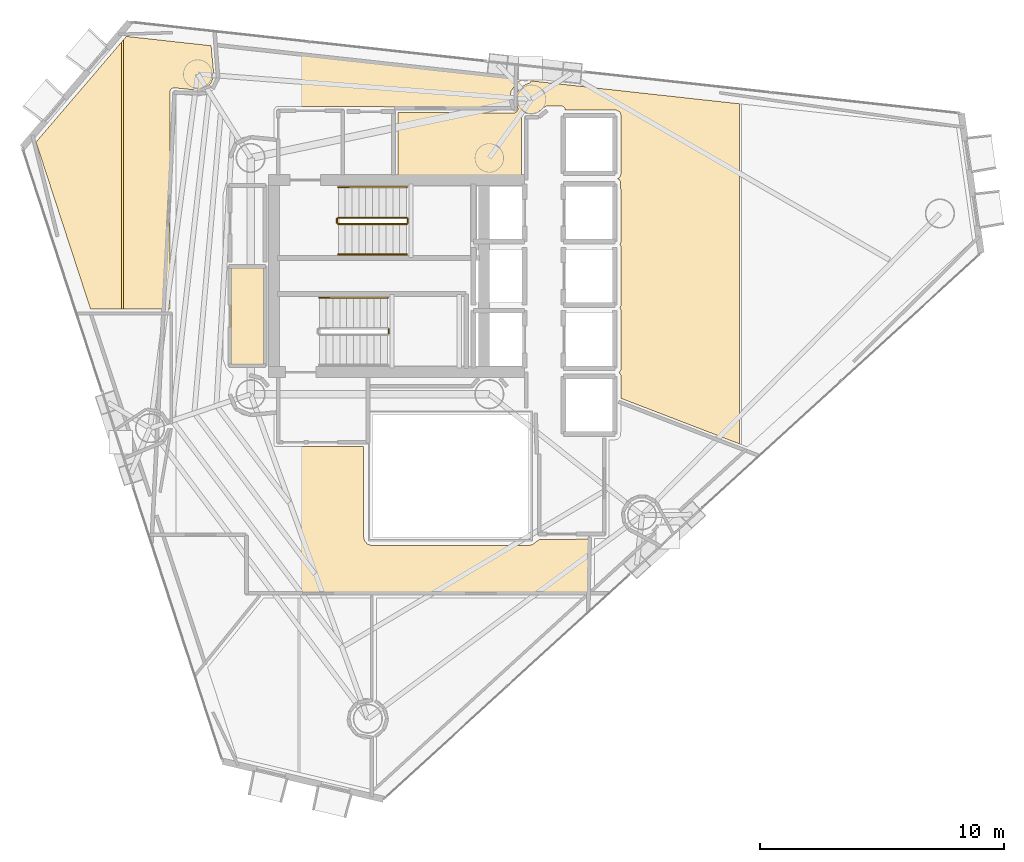
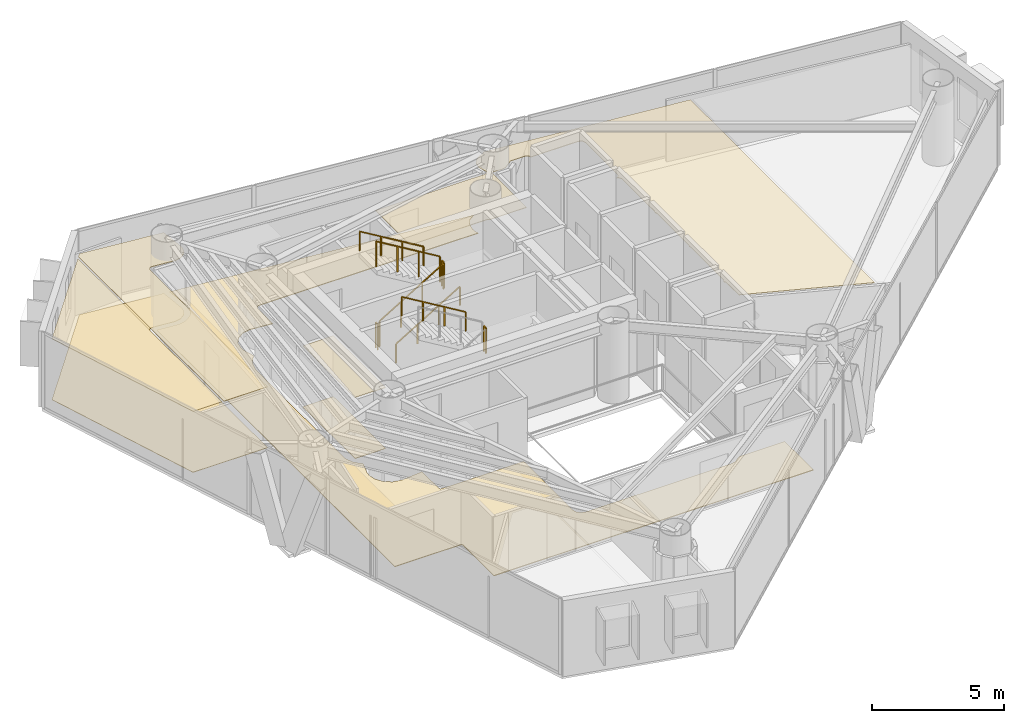
# One storey, part 23 of 24: 8 railings, 7 coverings.
"""IFC4 building model written with IfcOpenShell, lengths in metres."""

from ifc_helpers import new_model, si_unit, direction, frame, origin, origin_2d, place, context, subcontext, project, spatial, polyline, rectangle, outline, extrude, material, layer, layer_set, type_object, element, save


model = new_model("IFC4")

# Units and contexts
model_context = context("Model", 3, precision=1e-05, world=origin(), true_north=direction((0.0, 1.0)))
body_context = subcontext(model_context, "Body", "Model", "MODEL_VIEW")
ifc_project = project(units=[si_unit("LENGTHUNIT", "METRE"), si_unit("AREAUNIT", "SQUARE_METRE"), si_unit("VOLUMEUNIT", "CUBIC_METRE"), si_unit("PLANEANGLEUNIT", "RADIAN"), si_unit("MASSUNIT", "GRAM", prefix="KILO")], contexts=[model_context])

# Site, building, storey
site_placement = place(None, origin())
site = spatial("IfcSite", under=ifc_project, at=site_placement, CompositionType="ELEMENT")
building_placement = place(site_placement, origin())
building = spatial("IfcBuilding", under=site, at=building_placement, Name="Qianvela Tower", CompositionType="ELEMENT")
storey_placement = place(building_placement, frame((0.0, 0.0, 222.5)))
storey = spatial("IfcBuildingStorey", under=building, at=storey_placement, Name="L57", CompositionType="ELEMENT", Elevation=222.5)

# Coverings
ifc_material_1 = material(Name="Perforated Mineral Acoustic Ceiling Tile")
ifc_layer_1 = layer(ifc_material_1, 0.02490234375)
ifc_layer_set_1 = layer_set([ifc_layer_1], Name="Perforated Mineral Acoustic Ceiling Tile")
covering_type_1 = type_object("IfcCoveringType", Name="COV-CEIL-ACOUSTIC-25", PredefinedType="CEILING", material=ifc_layer_set_1)
covering_1_placement = place(storey_placement, frame((0.0, 0.0, 2.81494140625)))
element("IfcCovering", 1, at=covering_1_placement, inside=storey, type_object=covering_type_1, Name="L57 Acoustic Ceiling L57 Core Tea Pantry West", PredefinedType="CEILING", context=body_context, shape_type="SweptSolid", body=[
    extrude(outline(polyline([(27.800048828125, 25.080078125), (27.800048828125, 29.0400390625), (29.139892578125, 29.0400390625), (29.139892578125, 25.080078125), (27.800048828125, 25.080078125)])), origin(), (0.0, 0.0, 1.0), 0.025146484375),
])
covering_2_placement = place(storey_placement, frame((0.0, 0.0, 2.81494140625)))
element("IfcCovering", 2, at=covering_2_placement, inside=storey, type_object=covering_type_1, Name="L57 Acoustic Ceiling Bay 1 Stationery Supply Boutique L57-05", PredefinedType="CEILING", context=body_context, shape_type="SweptSolid", body=[
    extrude(outline(polyline([(43.722412109375, 32.739013671875), (43.729248046875, 32.74267578125), (43.73583984375, 32.746826171875), (43.741943359375, 32.751953125), (43.74755859375, 32.757568359375), (43.75244140625, 32.763427734375), (43.7568359375, 32.77001953125), (43.760498046875, 32.777099609375), (43.763427734375, 32.7841796875), (43.79541015625, 32.873046875), (43.7978515625, 32.8818359375), (43.799560546875, 32.890869140625), (43.800048828125, 32.89990234375), (43.800048828125, 35.300048828125), (43.799560546875, 35.30908203125), (43.7978515625, 35.318115234375), (43.79541015625, 35.326904296875), (43.763427734375, 35.415771484375), (43.760498046875, 35.423095703125), (43.7568359375, 35.429931640625), (43.75244140625, 35.4365234375), (43.74755859375, 35.4423828125), (43.741943359375, 35.447998046875), (43.73583984375, 35.453125), (43.729248046875, 35.45751953125), (43.722412109375, 35.461181640625), (43.6142578125, 35.51220703125), (43.607666015625, 35.51513671875), (43.60107421875, 35.51708984375), (43.593994140625, 35.518798828125), (43.587158203125, 35.519775390625), (43.580078125, 35.52001953125), (41.515625, 35.52001953125), (41.513916015625, 35.554931640625), (41.512939453125, 35.563232421875), (41.51123046875, 35.5712890625), (41.508544921875, 35.5791015625), (41.50537109375, 35.5869140625), (41.501220703125, 35.593994140625), (41.496337890625, 35.6005859375), (41.49072265625, 35.60693359375), (41.484619140625, 35.612548828125), (41.426513671875, 35.660400390625), (41.420166015625, 35.6650390625), (41.413330078125, 35.6689453125), (41.40625, 35.67236328125), (41.39892578125, 35.675048828125), (41.391357421875, 35.677001953125), (41.383544921875, 35.677978515625), (41.375732421875, 35.678466796875), (40.750244140625, 35.679931640625), (40.742919921875, 35.6796875), (40.7353515625, 35.6787109375), (40.728271484375, 35.677001953125), (40.72119140625, 35.674560546875), (40.71435546875, 35.671630859375), (40.7080078125, 35.668212890625), (40.701904296875, 35.663818359375), (40.361083984375, 35.406982421875), (40.127197265625, 35.3603515625), (39.85107421875, 35.393310546875), (39.843505859375, 35.393798828125), (39.835693359375, 35.393798828125), (39.828125, 35.392822265625), (39.820556640625, 35.39111328125), (39.813232421875, 35.388916015625), (39.80615234375, 35.3857421875), (39.799560546875, 35.382080078125), (39.793212890625, 35.377685546875), (39.787109375, 35.37255859375), (39.781982421875, 35.3671875), (39.777099609375, 35.361083984375), (39.772705078125, 35.354736328125), (39.731201171875, 35.28466796875), (39.727294921875, 35.277099609375), (39.72412109375, 35.26904296875), (39.7216796875, 35.2607421875), (39.720458984375, 35.252197265625), (39.719970703125, 35.243896484375), (39.719970703125, 32.719970703125), (38.125, 32.719970703125), (38.03369140625, 32.762451171875), (38.025634765625, 32.765625), (38.017333984375, 32.76806640625), (38.0087890625, 32.76953125), (38.0, 32.77001953125), (34.659912109375, 32.77001953125), (34.6591796875, 35.41064453125), (39.43359375, 35.401611328125), (39.44140625, 35.40185546875), (39.448974609375, 35.40283203125), (39.45654296875, 35.40478515625), (39.4638671875, 35.407470703125), (39.470703125, 35.41064453125), (39.4775390625, 35.41455078125), (39.48388671875, 35.419189453125), (39.489501953125, 35.42431640625), (39.494873046875, 35.429931640625), (39.5595703125, 35.5068359375), (39.564208984375, 35.512939453125), (39.568115234375, 35.519287109375), (39.571533203125, 35.526123046875), (39.574462890625, 35.533203125), (39.576416015625, 35.54052734375), (39.57763671875, 35.548095703125), (39.578369140625, 35.5556640625), (39.578369140625, 35.563232421875), (39.577392578125, 35.57080078125), (39.575927734375, 35.578125), (39.57373046875, 35.58544921875), (39.48388671875, 35.83447265625), (39.47265625, 35.9501953125), (39.524169921875, 36.20947265625), (39.66650390625, 36.422607421875), (39.886962890625, 36.56982421875), (40.042236328125, 36.6201171875), (40.0498046875, 36.623046875), (40.05712890625, 36.626708984375), (40.06396484375, 36.631103515625), (40.0703125, 36.63623046875), (40.076171875, 36.641845703125), (40.081298828125, 36.648193359375), (40.0859375, 36.65478515625), (40.08984375, 36.662109375), (40.093017578125, 36.66943359375), (40.10888671875, 36.71435546875), (48.662841796875, 35.77392578125), (48.662841796875, 21.815185546875), (43.7998046875, 23.684326171875), (43.79931640625, 24.61376953125), (43.798828125, 24.62158203125), (43.7978515625, 24.62939453125), (43.7958984375, 24.636962890625), (43.793212890625, 24.644287109375), (43.789794921875, 24.6513671875), (43.785888671875, 24.658203125), (43.73046875, 24.740966796875), (43.732666015625, 24.74365234375), (43.7373046875, 24.750732421875), (43.785888671875, 24.83154296875), (43.7900390625, 24.839111328125), (43.793212890625, 24.84716796875), (43.79541015625, 24.85546875), (43.796875, 24.864013671875), (43.79736328125, 24.87255859375), (43.800048828125, 27.2998046875), (43.799560546875, 27.307861328125), (43.79833984375, 27.31591796875), (43.79638671875, 27.323486328125), (43.793701171875, 27.3310546875), (43.7646484375, 27.39990234375), (43.793701171875, 27.468994140625), (43.79638671875, 27.476318359375), (43.79833984375, 27.484130859375), (43.799560546875, 27.491943359375), (43.800048828125, 27.5), (43.800048828125, 29.89990234375), (43.799560546875, 29.907958984375), (43.79833984375, 29.915771484375), (43.79638671875, 29.923583984375), (43.793701171875, 29.93115234375), (43.7646484375, 30.0), (43.793701171875, 30.06884765625), (43.79638671875, 30.076416015625), (43.79833984375, 30.084228515625), (43.799560546875, 30.09228515625), (43.800048828125, 30.10009765625), (43.7939453125, 32.540771484375), (43.793701171875, 32.548583984375), (43.79248046875, 32.556396484375), (43.79052734375, 32.56396484375), (43.787841796875, 32.5712890625), (43.784423828125, 32.578369140625), (43.780517578125, 32.585205078125), (43.7353515625, 32.652587890625), (43.73095703125, 32.658447265625), (43.726318359375, 32.6640625), (43.720947265625, 32.6689453125), (43.715087890625, 32.673583984375), (43.708984375, 32.677490234375), (43.702392578125, 32.680908203125), (43.69580078125, 32.68359375), (43.644287109375, 32.701904296875), (43.722412109375, 32.739013671875)])), origin(), (0.0, 0.0, 1.0), 0.025146484375),
])
covering_3_placement = place(storey_placement, frame((0.0, 0.0, 2.81494140625)))
element("IfcCovering", 3, at=covering_3_placement, inside=storey, type_object=covering_type_1, Name="L57 Acoustic Ceiling Bay 1 Print Copy Kiosk L57-06", PredefinedType="CEILING", context=body_context, shape_type="SweptSolid", body=[
    extrude(outline(polyline([(22.02490234375, 27.35888671875), (19.79150390625, 34.2001953125), (23.29345703125, 38.295654296875), (23.29345703125, 27.35888671875), (22.02490234375, 27.35888671875)])), origin(), (0.0, 0.0, 1.0), 0.025146484375),
])
covering_4_placement = place(storey_placement, frame((0.0, 0.0, 2.81494140625)))
element("IfcCovering", 4, at=covering_4_placement, inside=storey, type_object=covering_type_1, Name="L57 Acoustic Ceiling Bay 2 Print Copy Kiosk L57-06", PredefinedType="CEILING", context=body_context, shape_type="SweptSolid", body=[
    extrude(outline(polyline([(27.090087890625, 36.9921875), (27.078369140625, 36.871337890625), (26.97412109375, 36.61962890625), (26.902099609375, 36.531982421875), (26.682373046875, 36.385009765625), (26.423095703125, 36.33349609375), (25.457763671875, 36.42822265625), (25.448974609375, 36.4287109375), (25.440185546875, 36.427978515625), (25.431396484375, 36.426513671875), (25.423095703125, 36.423828125), (25.372314453125, 36.40576171875), (25.365478515625, 36.403076171875), (25.35888671875, 36.399658203125), (25.352783203125, 36.3955078125), (25.346923828125, 36.39111328125), (25.341552734375, 36.385986328125), (25.3369140625, 36.38037109375), (25.33251953125, 36.37451171875), (25.32861328125, 36.3681640625), (25.2998046875, 36.314208984375), (25.29638671875, 36.30712890625), (25.293701171875, 36.2998046875), (25.2919921875, 36.2919921875), (25.290771484375, 36.2841796875), (25.290283203125, 36.276611328125), (25.290283203125, 27.35888671875), (23.373291015625, 27.35888671875), (23.373291015625, 38.38916015625), (23.502197265625, 38.539794921875), (26.97705078125, 38.15771484375), (27.090087890625, 36.9921875)])), origin(), (0.0, 0.0, 1.0), 0.025146484375),
])
ifc_material_2 = material(Name="Engineered Acoustic Oak Timber Flooring", Category="wood")
ifc_layer_2 = layer(ifc_material_2, 0.02001953125)
ifc_layer_set_2 = layer_set([ifc_layer_2], Name="Engineered Acoustic Oak Timber Flooring")
covering_type_2 = type_object("IfcCoveringType", Name="COV-FLOOR-OAK-20", PredefinedType="FLOORING", material=ifc_layer_set_2)
covering_5_placement = place(storey_placement, origin())
element("IfcCovering", 5, at=covering_5_placement, inside=storey, type_object=covering_type_2, Name="L57 Finish Flooring L57 Core Tea Pantry West", PredefinedType="FLOORING", context=body_context, shape_type="SweptSolid", body=[
    extrude(outline(polyline([(27.800048828125, 25.080078125), (27.800048828125, 29.0400390625), (29.139892578125, 29.0400390625), (29.139892578125, 25.080078125), (27.800048828125, 25.080078125)])), origin(), (0.0, 0.0, 1.0), 0.02001953125),
])
covering_6_placement = place(storey_placement, origin())
element("IfcCovering", 6, at=covering_6_placement, inside=storey, type_object=covering_type_2, Name="L57 Finish Flooring Print Copy Kiosk L57-06", PredefinedType="FLOORING", context=body_context, shape_type="SweptSolid", body=[
    extrude(outline(polyline([(26.97705078125, 38.15771484375), (27.090087890625, 36.9921875), (27.078369140625, 36.871337890625), (26.97412109375, 36.61962890625), (26.902099609375, 36.531982421875), (26.682373046875, 36.385009765625), (26.423095703125, 36.33349609375), (25.457763671875, 36.42822265625), (25.448974609375, 36.4287109375), (25.440185546875, 36.427978515625), (25.431396484375, 36.426513671875), (25.423095703125, 36.423828125), (25.372314453125, 36.40576171875), (25.365478515625, 36.403076171875), (25.35888671875, 36.399658203125), (25.352783203125, 36.3955078125), (25.346923828125, 36.39111328125), (25.341552734375, 36.385986328125), (25.3369140625, 36.38037109375), (25.33251953125, 36.37451171875), (25.32861328125, 36.3681640625), (25.2998046875, 36.314208984375), (25.29638671875, 36.30712890625), (25.293701171875, 36.2998046875), (25.2919921875, 36.2919921875), (25.290771484375, 36.2841796875), (25.290283203125, 36.276611328125), (25.290283203125, 27.35888671875), (22.02490234375, 27.35888671875), (19.79150390625, 34.2001953125), (23.502197265625, 38.539794921875), (26.97705078125, 38.15771484375)])), origin(), (0.0, 0.0, 1.0), 0.02001953125),
])
ifc_material_3 = material(Name="Honed Stone Terrazzo Flooring", Category="masonry")
ifc_layer_3 = layer(ifc_material_3, 0.030029296875)
ifc_layer_set_3 = layer_set([ifc_layer_3], Name="Honed Stone Terrazzo Flooring")
covering_type_3 = type_object("IfcCoveringType", Name="COV-FLOOR-TERRAZZO-30", PredefinedType="FLOORING", material=ifc_layer_set_3)
covering_7_placement = place(storey_placement, origin())
element("IfcCovering", 7, at=covering_7_placement, inside=storey, type_object=covering_type_3, Name="L57 Finish Flooring L57 Floor Corridor", PredefinedType="FLOORING", context=body_context, shape_type="SweptSolid", body=[
    extrude(outline(polyline([(27.30908203125, 36.801513671875), (27.311767578125, 36.808837890625), (27.313720703125, 36.81640625), (27.31494140625, 36.82421875), (27.33056640625, 36.984130859375), (27.3310546875, 36.991943359375), (27.33056640625, 36.999755859375), (27.21923828125, 38.131103515625), (39.733154296875, 36.755615234375), (39.506591796875, 36.604248046875), (39.50048828125, 36.599609375), (39.49462890625, 36.594482421875), (39.4892578125, 36.588623046875), (39.484619140625, 36.582275390625), (39.306884765625, 36.316162109375), (39.302978515625, 36.3095703125), (39.299560546875, 36.302490234375), (39.296875, 36.294921875), (39.294921875, 36.287353515625), (39.232421875, 35.9736328125), (39.2314453125, 35.9658203125), (39.23095703125, 35.9580078125), (39.2314453125, 35.9501953125), (39.2470703125, 35.790283203125), (39.248291015625, 35.783203125), (39.249755859375, 35.776123046875), (39.252197265625, 35.769287109375), (39.3017578125, 35.640380859375), (29.694091796875, 35.66162109375), (29.686767578125, 35.661376953125), (29.67919921875, 35.660400390625), (29.672119140625, 35.65869140625), (29.6650390625, 35.65625), (29.658203125, 35.6533203125), (29.651611328125, 35.649658203125), (29.6455078125, 35.6455078125), (29.639892578125, 35.640625), (29.634521484375, 35.635498046875), (29.57861328125, 35.57373046875), (29.573974609375, 35.568115234375), (29.56982421875, 35.56201171875), (29.56640625, 35.555419921875), (29.5634765625, 35.548828125), (29.56103515625, 35.541748046875), (29.559326171875, 35.53466796875), (29.558349609375, 35.52734375), (29.55810546875, 35.52001953125), (29.55810546875, 34.35595703125), (28.60791015625, 34.44970703125), (28.60009765625, 34.449951171875), (28.59228515625, 34.44970703125), (28.58447265625, 34.448486328125), (28.2705078125, 34.385986328125), (28.262939453125, 34.384033203125), (28.255615234375, 34.381591796875), (28.24853515625, 34.378173828125), (28.24169921875, 34.3740234375), (27.9755859375, 34.1962890625), (27.969482421875, 34.191650390625), (27.963623046875, 34.186279296875), (27.958251953125, 34.1806640625), (27.95361328125, 34.17431640625), (27.77587890625, 33.908203125), (27.77197265625, 33.901611328125), (27.7685546875, 33.894287109375), (27.765869140625, 33.886962890625), (27.763916015625, 33.87939453125), (27.701416015625, 33.565673828125), (27.700439453125, 33.557861328125), (27.699951171875, 33.550048828125), (27.700439453125, 33.542236328125), (27.716064453125, 33.382080078125), (27.71728515625, 33.37451171875), (27.71923828125, 33.36669921875), (27.865478515625, 32.884521484375), (27.60107421875, 32.52685546875), (27.5966796875, 32.5205078125), (27.593017578125, 32.513427734375), (27.590087890625, 32.50634765625), (27.587890625, 32.4990234375), (27.472412109375, 32.0458984375), (27.47119140625, 32.039306640625), (27.47021484375, 32.03271484375), (27.469970703125, 32.026123046875), (27.469970703125, 25.291259765625), (27.47021484375, 25.2841796875), (27.47119140625, 25.27734375), (27.47265625, 25.2705078125), (27.474853515625, 25.263916015625), (27.59326171875, 24.938232421875), (27.59619140625, 24.93115234375), (27.599853515625, 24.92431640625), (27.604248046875, 24.91796875), (27.609130859375, 24.911865234375), (27.89111328125, 24.599853515625), (27.71923828125, 24.033203125), (27.71728515625, 24.025634765625), (27.716064453125, 24.017822265625), (27.700439453125, 23.85791015625), (27.699951171875, 23.85009765625), (27.700439453125, 23.84228515625), (27.701416015625, 23.83447265625), (27.763916015625, 23.5205078125), (27.765869140625, 23.512939453125), (27.7685546875, 23.505615234375), (27.77197265625, 23.49853515625), (27.77587890625, 23.49169921875), (27.95361328125, 23.2255859375), (27.958251953125, 23.219482421875), (27.963623046875, 23.213623046875), (27.969482421875, 23.208251953125), (27.9755859375, 23.20361328125), (28.24169921875, 23.02587890625), (28.24853515625, 23.02197265625), (28.255615234375, 23.0185546875), (28.262939453125, 23.015869140625), (28.2705078125, 23.013916015625), (28.58447265625, 22.951416015625), (28.59228515625, 22.950439453125), (28.60009765625, 22.949951171875), (28.60791015625, 22.950439453125), (29.55810546875, 23.0439453125), (29.55810546875, 21.780029296875), (29.558349609375, 21.772216796875), (29.5595703125, 21.764404296875), (29.561279296875, 21.7568359375), (29.564208984375, 21.74951171875), (29.5673828125, 21.7421875), (29.571533203125, 21.735595703125), (29.576171875, 21.729248046875), (29.581298828125, 21.723388671875), (29.587158203125, 21.71826171875), (29.593505859375, 21.71337890625), (29.600341796875, 21.70947265625), (29.607421875, 21.7060546875), (29.61474609375, 21.703369140625), (29.622314453125, 21.701416015625), (29.630126953125, 21.700439453125), (29.637939453125, 21.699951171875), (33.239990234375, 21.699951171875), (33.239990234375, 18.0), (33.240478515625, 17.990234375), (33.242431640625, 17.980712890625), (33.275390625, 17.8486328125), (33.277587890625, 17.841064453125), (33.28076171875, 17.833740234375), (33.284423828125, 17.826904296875), (33.288818359375, 17.8203125), (33.293701171875, 17.814208984375), (33.38525390625, 17.71337890625), (33.391357421875, 17.70751953125), (33.398193359375, 17.701904296875), (33.405517578125, 17.697509765625), (33.4130859375, 17.693603515625), (33.421142578125, 17.690673828125), (33.576904296875, 17.643310546875), (33.58447265625, 17.6416015625), (33.59228515625, 17.640380859375), (33.60009765625, 17.639892578125), (40.0, 17.639892578125), (40.006591796875, 17.640380859375), (40.012939453125, 17.64111328125), (40.019287109375, 17.642333984375), (40.1513671875, 17.675537109375), (40.15869140625, 17.677734375), (40.166015625, 17.6806640625), (40.172607421875, 17.68408203125), (40.17919921875, 17.6884765625), (40.45947265625, 17.89306640625), (42.469970703125, 17.899658203125), (42.469970703125, 15.72998046875), (28.47998046875, 15.72998046875), (28.47998046875, 18.050048828125), (28.4794921875, 18.057861328125), (28.478515625, 18.065673828125), (28.4765625, 18.0732421875), (28.473876953125, 18.08056640625), (28.470703125, 18.087646484375), (28.466552734375, 18.094482421875), (28.4619140625, 18.100830078125), (28.45654296875, 18.106689453125), (28.45068359375, 18.11181640625), (28.4443359375, 18.116455078125), (28.437744140625, 18.12060546875), (28.4306640625, 18.123779296875), (28.423095703125, 18.126708984375), (28.41552734375, 18.12841796875), (28.40771484375, 18.129638671875), (28.39990234375, 18.1298828125), (25.530029296875, 18.1298828125), (25.530029296875, 36.180419921875), (26.423095703125, 36.09228515625), (26.430908203125, 36.092041015625), (26.438720703125, 36.09228515625), (26.446533203125, 36.093505859375), (26.760498046875, 36.156005859375), (26.76806640625, 36.157958984375), (26.775390625, 36.160400390625), (26.782470703125, 36.163818359375), (26.789306640625, 36.16796875), (27.055419921875, 36.345703125), (27.0615234375, 36.350341796875), (27.0673828125, 36.355712890625), (27.07275390625, 36.361328125), (27.174560546875, 36.485595703125), (27.17919921875, 36.491943359375), (27.183349609375, 36.498779296875), (27.186767578125, 36.505859375), (27.30908203125, 36.801513671875)])), origin(), (0.0, 0.0, 1.0), 0.030029296875),
])

# Railings
ifc_material_4 = material(Name="Painted Tubular Steel Q355B", Category="steel")
railing_type_1 = type_object("IfcRailingType", Name="RL-STAIR-GUARD-1200", PredefinedType="GUARDRAIL", material=ifc_material_4)
railing_1_placement = place(storey_placement, frame((32.199951171875, 30.840087890625, 0.168212890625)))
element("IfcRailing", 8, at=railing_1_placement, inside=storey, type_object=railing_type_1, Name="L57 ST-1 stair guard 1", PredefinedType="GUARDRAIL", context=body_context, shape_type="SweptSolid", body=[
    extrude(rectangle(XDim=0.050048828125, YDim=0.0400390625, at=origin_2d()), frame((0.0, 0.0, 1.179931640625), z_axis=(0.857242210791, 0.0, 0.514913383045), x_axis=(0.0, 1.0, 0.0)), (0.0, 0.0, 1.0), 3.266357421875),
    extrude(rectangle(XDim=0.050048828125, YDim=0.050048828125, at=origin_2d()), origin(), (0.0, 0.0, 1.0), 1.159912109375),
    extrude(rectangle(XDim=0.050048828125, YDim=0.050048828125, at=origin_2d()), frame((0.933349609375, 0.0, 0.560546875)), (0.0, 0.0, 1.0), 1.159912109375),
    extrude(rectangle(XDim=0.050048828125, YDim=0.050048828125, at=origin_2d()), frame((1.86669921875, 0.0, 1.121337890625)), (0.0, 0.0, 1.0), 1.159912109375),
    extrude(rectangle(XDim=0.050048828125, YDim=0.050048828125, at=origin_2d()), frame((2.800048828125, 0.0, 1.681884765625)), (0.0, 0.0, 1.0), 1.159912109375),
])
railing_2_placement = place(storey_placement, frame((35.050048828125, 30.889892578125, 1.85009765625)))
element("IfcRailing", 9, at=railing_2_placement, inside=storey, type_object=railing_type_1, Name="L57 ST-1 stair guard 2", PredefinedType="GUARDRAIL", context=body_context, shape_type="SweptSolid", body=[
    extrude(rectangle(XDim=0.050048828125, YDim=0.0400390625, at=origin_2d()), frame((0.0, 0.0, 1.179931640625), z_axis=(0.0, 1.0, 0.0), x_axis=(-1.0, 0.0, 0.0)), (0.0, 0.0, 1.0), 0.16015625),
    extrude(rectangle(XDim=0.050048828125, YDim=0.050048828125, at=origin_2d()), origin(), (0.0, 0.0, 1.0), 1.159912109375),
    extrude(rectangle(XDim=0.050048828125, YDim=0.050048828125, at=origin_2d()), frame((0.0, 0.16015625, 0.0)), (0.0, 0.0, 1.0), 1.159912109375),
])
railing_3_placement = place(storey_placement, frame((35.0, 31.10009765625, 2.01806640625)))
element("IfcRailing", 10, at=railing_3_placement, inside=storey, type_object=railing_type_1, Name="L57 ST-1 stair guard 3", PredefinedType="GUARDRAIL", context=body_context, shape_type="SweptSolid", body=[
    extrude(rectangle(XDim=0.050048828125, YDim=0.0400390625, at=origin_2d()), frame((0.0, 0.0, 1.179931640625), z_axis=(-0.857242210791, 0.0, 0.514913383045), x_axis=(0.0, -1.0, 0.0)), (0.0, 0.0, 1.0), 3.266357421875),
    extrude(rectangle(XDim=0.050048828125, YDim=0.050048828125, at=origin_2d()), origin(), (0.0, 0.0, 1.0), 1.159912109375),
    extrude(rectangle(XDim=0.050048828125, YDim=0.050048828125, at=origin_2d()), frame((-0.933349609375, 0.0, 0.560546875)), (0.0, 0.0, 1.0), 1.159912109375),
    extrude(rectangle(XDim=0.050048828125, YDim=0.050048828125, at=origin_2d()), frame((-1.86669921875, 0.0, 1.121337890625)), (0.0, 0.0, 1.0), 1.159912109375),
    extrude(rectangle(XDim=0.050048828125, YDim=0.050048828125, at=origin_2d()), frame((-2.800048828125, 0.0, 1.681884765625)), (0.0, 0.0, 1.0), 1.159912109375),
])
railing_4_placement = place(storey_placement, frame((32.14990234375, 30.889892578125, 0.0)))
element("IfcRailing", 11, at=railing_4_placement, inside=storey, type_object=railing_type_1, Name="L57 ST-1 stair guard 4", PredefinedType="GUARDRAIL", context=body_context, shape_type="SweptSolid", body=[
    extrude(rectangle(XDim=0.050048828125, YDim=0.0400390625, at=origin_2d()), frame((0.0, 0.0, 1.179931640625), z_axis=(0.0, 1.0, 0.0), x_axis=(-1.0, 0.0, 0.0)), (0.0, 0.0, 1.0), 0.16015625),
    extrude(rectangle(XDim=0.050048828125, YDim=0.050048828125, at=origin_2d()), origin(), (0.0, 0.0, 1.0), 1.159912109375),
    extrude(rectangle(XDim=0.050048828125, YDim=0.050048828125, at=origin_2d()), frame((0.0, 0.16015625, 0.0)), (0.0, 0.0, 1.0), 1.159912109375),
])
railing_5_placement = place(storey_placement, frame((34.27001953125, 26.35009765625, 1.85009765625)))
element("IfcRailing", 12, at=railing_5_placement, inside=storey, type_object=railing_type_1, Name="L57 ST-2 stair guard 2", PredefinedType="GUARDRAIL", context=body_context, shape_type="SweptSolid", body=[
    extrude(rectangle(XDim=0.050048828125, YDim=0.0400390625, at=origin_2d()), frame((0.0, 0.0, 1.179931640625), z_axis=(0.0, 1.0, 0.0), x_axis=(-1.0, 0.0, 0.0)), (0.0, 0.0, 1.0), 0.159912109375),
    extrude(rectangle(XDim=0.050048828125, YDim=0.050048828125, at=origin_2d()), origin(), (0.0, 0.0, 1.0), 1.159912109375),
    extrude(rectangle(XDim=0.050048828125, YDim=0.050048828125, at=origin_2d()), frame((0.0, 0.159912109375, 0.0)), (0.0, 0.0, 1.0), 1.159912109375),
])
ifc_material_5 = material(Name="Brushed Stainless Steel 304", Category="steel")
railing_type_2 = type_object("IfcRailingType", Name="RL-STAIR-HANDRAIL-900", PredefinedType="HANDRAIL", material=ifc_material_5)
railing_6_placement = place(storey_placement, frame((32.199951171875, 29.590087890625, 0.168212890625)))
element("IfcRailing", 13, at=railing_6_placement, inside=storey, type_object=railing_type_2, Name="L57 ST-1 stair handrail 1", PredefinedType="HANDRAIL", context=body_context, shape_type="SweptSolid", body=[
    extrude(rectangle(XDim=0.050048828125, YDim=0.0400390625, at=origin_2d()), frame((0.0, 0.0, 0.8798828125), z_axis=(0.857242210791, 0.0, 0.514913383045), x_axis=(0.0, 1.0, 0.0)), (0.0, 0.0, 1.0), 3.266357421875),
    extrude(rectangle(XDim=0.050048828125, YDim=0.050048828125, at=origin_2d()), origin(), (0.0, 0.0, 1.0), 0.85986328125),
    extrude(rectangle(XDim=0.050048828125, YDim=0.050048828125, at=origin_2d()), frame((0.933349609375, 0.0, 0.560546875)), (0.0, 0.0, 1.0), 0.85986328125),
    extrude(rectangle(XDim=0.050048828125, YDim=0.050048828125, at=origin_2d()), frame((1.86669921875, 0.0, 1.121337890625)), (0.0, 0.0, 1.0), 0.85986328125),
    extrude(rectangle(XDim=0.050048828125, YDim=0.050048828125, at=origin_2d()), frame((2.800048828125, 0.0, 1.681884765625)), (0.0, 0.0, 1.0), 0.85986328125),
])
for number, where, name in (
    (14, (35.0, 32.35009765625, 2.01806640625), "L57 ST-1 stair handrail 2"),
    (15, (34.219970703125, 27.81005859375, 2.01806640625), "L57 ST-2 stair handrail 2"),
):
    element("IfcRailing", number, at=place(storey_placement, frame(where)), inside=storey, type_object=railing_type_2, Name=name, PredefinedType="HANDRAIL", context=body_context, shape_type="SweptSolid", body=[
        extrude(rectangle(XDim=0.050048828125, YDim=0.0400390625, at=origin_2d()), frame((0.0, 0.0, 0.8798828125), z_axis=(-0.857242210791, 0.0, 0.514913383045), x_axis=(0.0, -1.0, 0.0)), (0.0, 0.0, 1.0), 3.266357421875),
        extrude(rectangle(XDim=0.050048828125, YDim=0.050048828125, at=origin_2d()), origin(), (0.0, 0.0, 1.0), 0.85986328125),
        extrude(rectangle(XDim=0.050048828125, YDim=0.050048828125, at=origin_2d()), frame((-0.933349609375, 0.0, 0.560546875)), (0.0, 0.0, 1.0), 0.85986328125),
        extrude(rectangle(XDim=0.050048828125, YDim=0.050048828125, at=origin_2d()), frame((-1.86669921875, 0.0, 1.121337890625)), (0.0, 0.0, 1.0), 0.85986328125),
        extrude(rectangle(XDim=0.050048828125, YDim=0.050048828125, at=origin_2d()), frame((-2.800048828125, 0.0, 1.681884765625)), (0.0, 0.0, 1.0), 0.85986328125),
    ])

save(model, "model.ifc")
